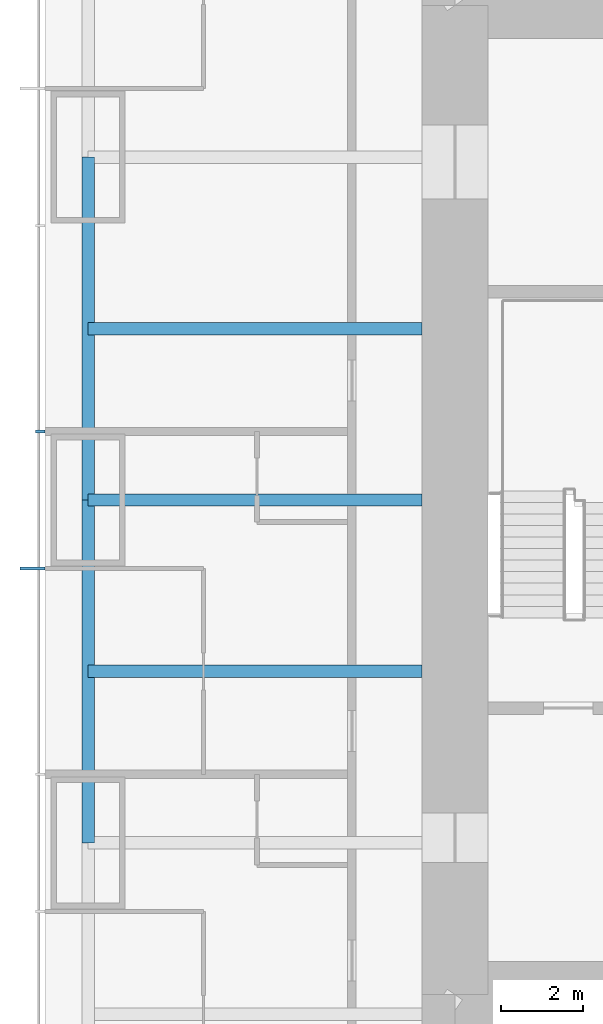
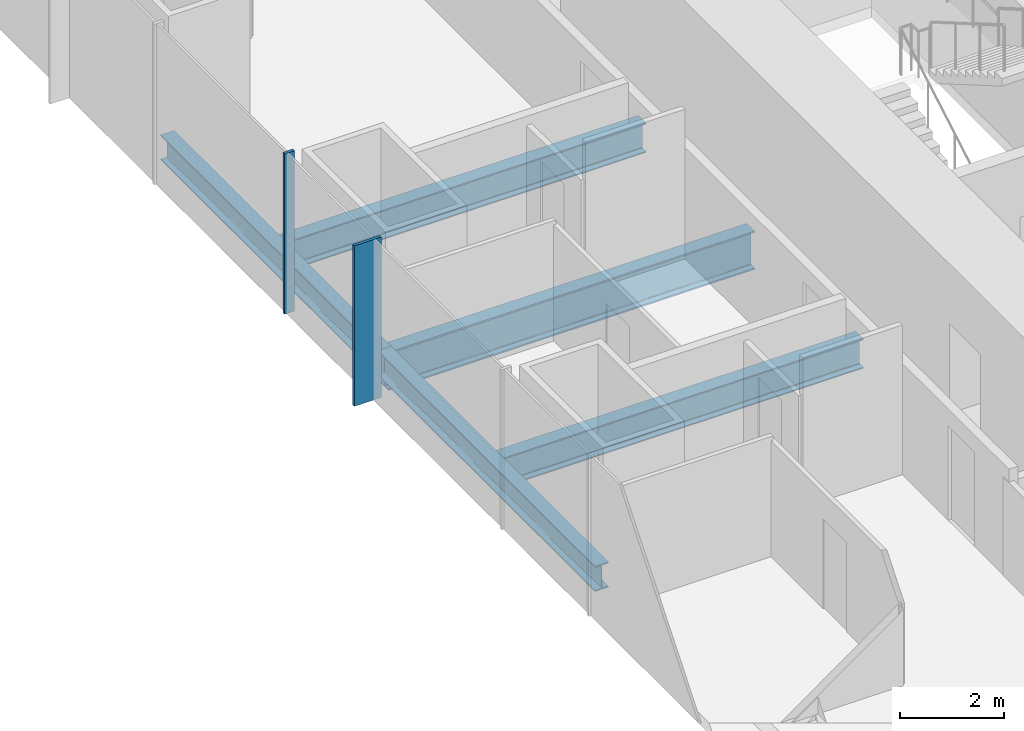
# One storey, part 3 of 13: 5 beams, 2 members, 1 element without a shape of its own.
"""IFC4 building model written with IfcOpenShell, lengths in metres."""

from ifc_helpers import new_model, si_unit, direction, frame, origin, origin_2d, place, context, subcontext, project, spatial, rectangle, i_section, extrude, material, material_profile, profile_set, type_object, element, aggregate, save


model = new_model("IFC4")

# Units and contexts
model_context = context("Model", 3, precision=1e-05, world=origin(), true_north=direction((0.0, 1.0)))
body_context = subcontext(model_context, "Body", "Model", "MODEL_VIEW")
ifc_project = project(units=[si_unit("LENGTHUNIT", "METRE"), si_unit("AREAUNIT", "SQUARE_METRE"), si_unit("VOLUMEUNIT", "CUBIC_METRE"), si_unit("PLANEANGLEUNIT", "RADIAN"), si_unit("MASSUNIT", "GRAM", prefix="KILO")], contexts=[model_context])

# Site, building, storey
site_placement = place(None, origin())
site = spatial("IfcSite", under=ifc_project, at=site_placement, CompositionType="ELEMENT")
building_placement = place(site_placement, origin())
building = spatial("IfcBuilding", under=site, at=building_placement, Name="Khuree Lantern Residences", CompositionType="ELEMENT")
storey_placement = place(building_placement, frame((0.0, 0.0, 270.75)))
storey = spatial("IfcBuildingStorey", under=building, at=storey_placement, Name="L68", CompositionType="ELEMENT", Elevation=270.75)

# Beams
ifc_material_1 = material(Name="Steel S355", Category="steel")
ifc_material_profile_1 = material_profile(ifc_material_1, i_section(OverallWidth=0.300048828125, OverallDepth=0.68994140625, WebThickness=0.014404296875, FlangeThickness=0.027099609375, FilletRadius=0.027099609375, at=origin_2d()), Name="HE 700 A")
ifc_profile_set_1 = profile_set([ifc_material_profile_1], Name="Steel S355")
beam_type_1 = type_object("IfcBeamType", Name="B-35 SECONDARY BEAM HE 700 A", PredefinedType="BEAM", material=ifc_profile_set_1)
for number, where, z_axis, x_axis, name in (
    (1, (-24.39990234375, -4.159912109375, -0.594970703125), (1.0, 0.0, 0.0), (0.0, 1.0, 0.0), "Secondary beam W3"),
    (2, (-24.39990234375, 4.159912109375, -0.594970703125), (1.0, 0.0, 0.0), (0.0, 1.0, 0.0), "Secondary beam W4"),
):
    element("IfcBeam", number, at=place(storey_placement, frame(where, z_axis=z_axis, x_axis=x_axis)), inside=storey, type_object=beam_type_1, Name=name, PredefinedType="BEAM", context=body_context, shape_type="SweptSolid", body=[
        extrude(i_section(OverallWidth=0.300048828125, OverallDepth=0.68994140625, WebThickness=0.014404296875, FlangeThickness=0.027099609375, FilletRadius=0.027099609375, at=origin_2d()), origin(), (0.0, 0.0, 1.0), 8.099853515625),
    ])
ifc_material_profile_2 = material_profile(ifc_material_1, i_section(OverallWidth=0.300048828125, OverallDepth=0.590087890625, WebThickness=0.012939453125, FlangeThickness=0.02490234375, FilletRadius=0.027099609375, at=origin_2d()), Name="HE 600 A")
ifc_profile_set_2 = profile_set([ifc_material_profile_2], Name="Steel S355")
beam_type_2 = type_object("IfcBeamType", Name="E-35 SPANDREL BEAM HE 600 A", PredefinedType="SPANDREL", material=ifc_profile_set_2)
for number, where, z_axis, x_axis, name in (
    (3, (-24.39990234375, -8.320068359375, -0.544921875), (0.0, 1.0, 0.0), (-1.0, 0.0, 0.0), "Spandrel beam W3"),
    (4, (-24.39990234375, 0.0, -0.544921875), (0.0, 1.0, 0.0), (-1.0, 0.0, 0.0), "Spandrel beam W4"),
):
    element("IfcBeam", number, at=place(storey_placement, frame(where, z_axis=z_axis, x_axis=x_axis)), inside=storey, type_object=beam_type_2, Name=name, PredefinedType="SPANDREL", context=body_context, shape_type="SweptSolid", body=[
        extrude(i_section(OverallWidth=0.300048828125, OverallDepth=0.590087890625, WebThickness=0.012939453125, FlangeThickness=0.02490234375, FilletRadius=0.027099609375, at=origin_2d()), origin(), (0.0, 0.0, 1.0), 8.320068359375),
    ])

# Curtain wall, member
ifc_material_2 = material(Name="Bronze anodised aluminium", Category="aluminium")
curtain_wall_type = type_object("IfcCurtainWallType", Name="CW-T1 TOWER FACE CURTAIN WALL", PredefinedType="USERDEFINED", material=ifc_material_2)
curtain_wall_placement = place(storey_placement, origin())
curtain_wall = element("IfcCurtainWall", 5, at=curtain_wall_placement, inside=storey, type_object=curtain_wall_type, Name="L68 WEST FACE CURTAIN WALL", ObjectType="Stick-built curtain wall", PredefinedType="USERDEFINED")
ifc_material_profile_3 = material_profile(ifc_material_2, rectangle(XDim=0.06494140625, YDim=0.60009765625, at=origin_2d()), Name="F1 65X600")
ifc_profile_set_3 = profile_set([ifc_material_profile_3], Name="Bronze anodised aluminium")
member_type_1 = type_object("IfcMemberType", Name="F1 BRONZE FIN MULLION TOWER 65X600", PredefinedType="MULLION", material=ifc_profile_set_3)
member_1_placement = place(storey_placement, frame((-25.75, -1.6640625, 0.0), z_axis=(0.0, 0.0, 1.0), x_axis=(0.0, -1.0, 0.0)))
member_1 = element("IfcMember", 6, at=member_1_placement, type_object=member_type_1, Name="L68 WEST FACE FIN MULLION 38", PredefinedType="MULLION", context=body_context, shape_type="SweptSolid", body=[
    extrude(rectangle(XDim=0.06494140625, YDim=0.60009765625, at=origin_2d()), origin(), (0.0, 0.0, 1.0), 3.75),
])

# Beam
ifc_material_profile_4 = material_profile(ifc_material_1, i_section(OverallWidth=0.300048828125, OverallDepth=0.89990234375, WebThickness=0.0185546875, FlangeThickness=0.034912109375, FilletRadius=0.030029296875, at=origin_2d()), Name="HE 900 B")
ifc_profile_set_4 = profile_set([ifc_material_profile_4], Name="Steel S355")
beam_type_3 = type_object("IfcBeamType", Name="G-35 GIRDER HE 900 B", PredefinedType="BEAM", material=ifc_profile_set_4)
beam_placement = place(storey_placement, frame((-24.39990234375, 0.0, -0.699951171875), z_axis=(1.0, 0.0, 0.0), x_axis=(0.0, 1.0, 0.0)))
element("IfcBeam", 7, at=beam_placement, inside=storey, type_object=beam_type_3, Name="Girder W3", PredefinedType="BEAM", context=body_context, shape_type="SweptSolid", body=[
    extrude(i_section(OverallWidth=0.300048828125, OverallDepth=0.89990234375, WebThickness=0.0185546875, FlangeThickness=0.034912109375, FilletRadius=0.030029296875, at=origin_2d()), origin(), (0.0, 0.0, 1.0), 8.099853515625),
])

# Member
ifc_material_profile_5 = material_profile(ifc_material_2, rectangle(XDim=0.06494140625, YDim=0.219970703125, at=origin_2d()), Name="M1 65X220")
ifc_profile_set_5 = profile_set([ifc_material_profile_5], Name="Bronze anodised aluminium")
member_type_2 = type_object("IfcMemberType", Name="M1 BRONZE MULLION TOWER 65X220", PredefinedType="MULLION", material=ifc_profile_set_5)
member_2_placement = place(storey_placement, frame((-25.56005859375, 1.6640625, 0.0), z_axis=(0.0, 0.0, 1.0), x_axis=(0.0, -1.0, 0.0)))
member_2 = element("IfcMember", 8, at=member_2_placement, type_object=member_type_2, Name="L68 WEST FACE MULLION 37", PredefinedType="MULLION", context=body_context, shape_type="SweptSolid", body=[
    extrude(rectangle(XDim=0.06494140625, YDim=0.219970703125, at=origin_2d()), origin(), (0.0, 0.0, 1.0), 3.75),
])

aggregate(curtain_wall, [member_2, member_1])

save(model, "model.ifc")
